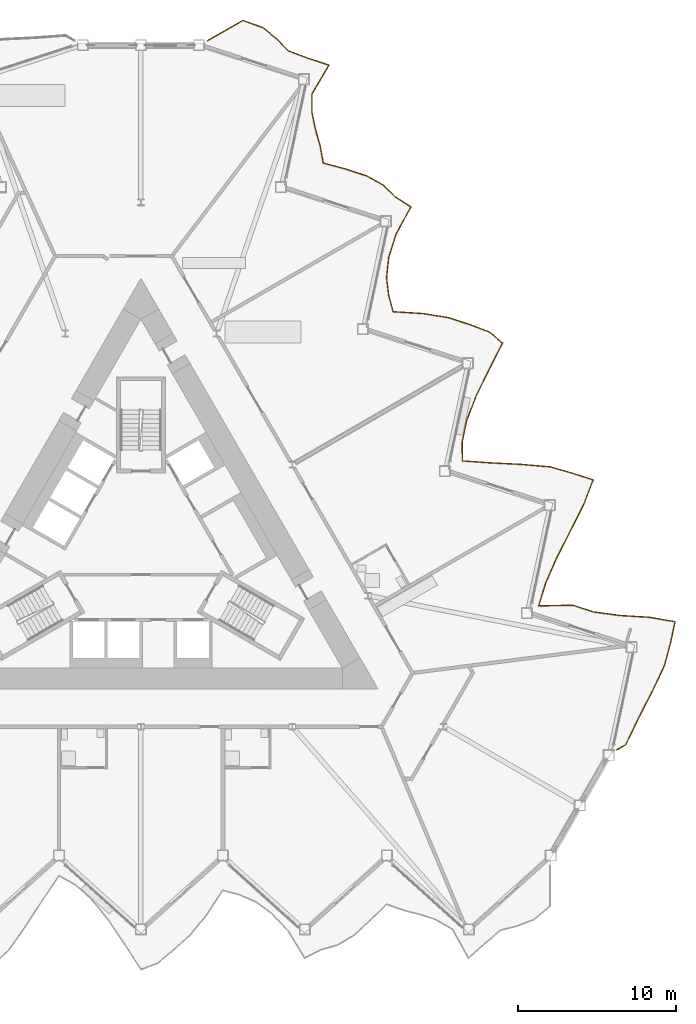
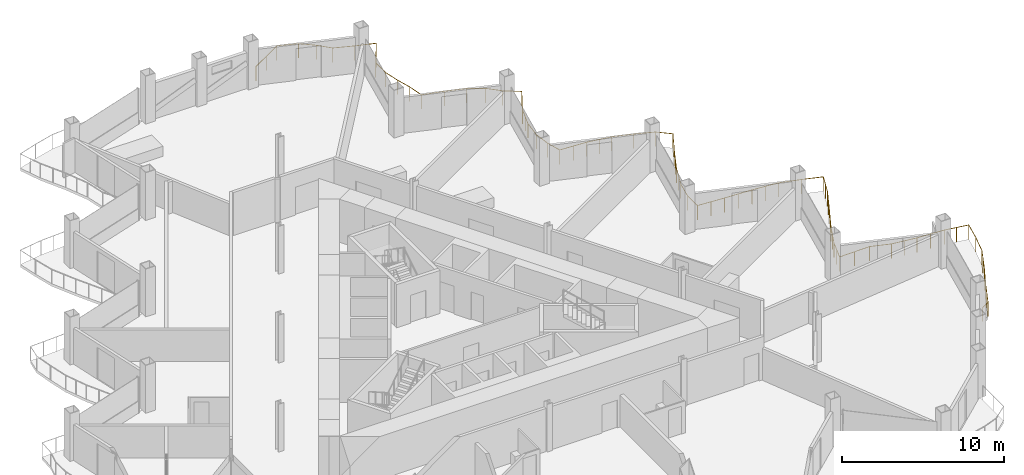
# One storey, part 21 of 23: 1 railing.
"""IFC4 building model written with IfcOpenShell, lengths in metres."""

from ifc_helpers import new_model, si_unit, direction, frame, origin, origin_2d, place, context, subcontext, project, spatial, circle, extrude, material, type_object, element, save


model = new_model("IFC4")

# Units and contexts
model_context = context("Model", 3, precision=1e-05, world=origin(), true_north=direction((0.0, 1.0)))
body_context = subcontext(model_context, "Body", "Model", "MODEL_VIEW")
ifc_project = project(units=[si_unit("LENGTHUNIT", "METRE"), si_unit("AREAUNIT", "SQUARE_METRE"), si_unit("VOLUMEUNIT", "CUBIC_METRE"), si_unit("PLANEANGLEUNIT", "RADIAN"), si_unit("MASSUNIT", "GRAM", prefix="KILO")], contexts=[model_context])

# Site, building, storey
site_placement = place(None, origin())
site = spatial("IfcSite", under=ifc_project, at=site_placement, CompositionType="ELEMENT")
building_placement = place(site_placement, origin())
building = spatial("IfcBuilding", under=site, at=building_placement, Name="Cormorant Prow Tower", CompositionType="ELEMENT")
storey_placement = place(building_placement, frame((0.0, 0.0, 267.0)))
storey = spatial("IfcBuildingStorey", under=building, at=storey_placement, Name="L60", CompositionType="ELEMENT", Elevation=267.0)

# Railing
ifc_material = material(Name="Aluminium 6063-T6", Category="aluminium")
railing_type = type_object("IfcRailingType", Name="Balcony guard 1100", PredefinedType="GUARDRAIL", material=ifc_material)
railing_placement = place(storey_placement, frame((30.135498046875, -12.5234375, 0.0)))
element("IfcRailing", 1, at=railing_placement, inside=storey, type_object=railing_type, Name="Balcony guard ENE", PredefinedType="GUARDRAIL", context=body_context, shape_type="SweptSolid", body=[
    extrude(circle(Radius=0.02392578125, at=origin_2d()), frame((0.0, 0.0, 1.076171875), z_axis=(0.865942655036, 0.500143297656, 0.0), x_axis=(-0.500143297656, 0.865942655036, 0.0)), (0.0, 0.0, 1.0), 0.635986328125),
    extrude(circle(Radius=0.02392578125, at=origin_2d()), frame((0.55078125, 0.318115234375, 1.076171875), z_axis=(0.434604504053, 0.900621410503, 0.0), x_axis=(-0.900621410503, 0.434604504053, 0.0)), (0.0, 0.0, 1.0), 1.842041015625),
    extrude(circle(Radius=0.02392578125, at=origin_2d()), frame((1.351318359375, 1.97705078125, 1.076171875), z_axis=(0.457287486383, 0.889318927493, 0.0), x_axis=(-0.889318927493, 0.457287486383, 0.0)), (0.0, 0.0, 1.0), 1.9140625),
    extrude(circle(Radius=0.02392578125, at=origin_2d()), frame((2.2265625, 3.67919921875, 1.076171875), z_axis=(0.42748121012, 0.904024233632, 0.0), x_axis=(-0.904024233632, 0.42748121012, 0.0)), (0.0, 0.0, 1.0), 1.8212890625),
    extrude(circle(Radius=0.02392578125, at=origin_2d()), frame((3.005126953125, 5.32568359375, 1.076171875), z_axis=(0.259340649862, 0.965785911747, 0.0), x_axis=(-0.965785911747, 0.259340649862, 0.0)), (0.0, 0.0, 1.0), 1.466796875),
    extrude(circle(Radius=0.02392578125, at=origin_2d()), frame((3.385498046875, 6.7421875, 1.076171875), z_axis=(0.207950868925, 0.97813927235, 0.0), x_axis=(-0.97813927235, 0.207950868925, 0.0)), (0.0, 0.0, 1.0), 1.394775390625),
    extrude(circle(Radius=0.02392578125, at=origin_2d()), frame((3.675537109375, 8.1064453125, 1.076171875), z_axis=(-0.984873312633, 0.173275959276, 0.0), x_axis=(-0.173275959276, -0.984873312633, 0.0)), (0.0, 0.0, 1.0), 1.61328125),
    extrude(circle(Radius=0.02392578125, at=origin_2d()), frame((2.086669921875, 8.385986328125, 1.076171875), z_axis=(-0.998104869315, 0.061535923252, 0.0), x_axis=(-0.061535923252, -0.998104869315, 0.0)), (0.0, 0.0, 1.0), 1.876708984375),
    extrude(circle(Radius=0.02392578125, at=origin_2d()), frame((0.213623046875, 8.50146484375, 1.076171875), z_axis=(-0.991362723895, 0.131148578613, 0.0), x_axis=(-0.131148578613, -0.991362723895, 0.0)), (0.0, 0.0, 1.0), 1.701416015625),
    extrude(circle(Radius=0.02392578125, at=origin_2d()), frame((-1.47314453125, 8.724609375, 1.076171875), z_axis=(-0.951088075615, 0.308919847895, 0.0), x_axis=(-0.308919847895, -0.951088075615, 0.0)), (0.0, 0.0, 1.0), 1.394775390625),
    extrude(circle(Radius=0.02392578125, at=origin_2d()), frame((-2.7998046875, 9.155517578125, 1.076171875), z_axis=(-0.999793281828, -0.020332083327, 0.0), x_axis=(0.020332083327, -0.999793281828, 0.0)), (0.0, 0.0, 1.0), 2.1494140625),
    extrude(circle(Radius=0.02392578125, at=origin_2d()), frame((-4.94873046875, 9.11181640625, 1.076171875), z_axis=(0.288605655925, 0.957448053613, 0.0), x_axis=(-0.957448053613, 0.288605655925, 0.0)), (0.0, 0.0, 1.0), 1.513427734375),
    extrude(circle(Radius=0.02392578125, at=origin_2d()), frame((-4.511962890625, 10.560791015625, 1.076171875), z_axis=(0.404307118374, 0.914623285311, 0.0), x_axis=(-0.914623285311, 0.404307118374, 0.0)), (0.0, 0.0, 1.0), 1.757080078125),
    extrude(circle(Radius=0.02392578125, at=origin_2d()), frame((-3.801513671875, 12.16796875, 1.076171875), z_axis=(0.453215535464, 0.891400963884, 0.0), x_axis=(-0.891400963884, 0.453215535464, 0.0)), (0.0, 0.0, 1.0), 1.900390625),
    extrude(circle(Radius=0.02392578125, at=origin_2d()), frame((-2.940185546875, 13.862060546875, 1.076171875), z_axis=(0.44824971078, 0.89390838277, 0.0), x_axis=(-0.89390838277, 0.44824971078, 0.0)), (0.0, 0.0, 1.0), 1.884521484375),
    extrude(circle(Radius=0.02392578125, at=origin_2d()), frame((-2.095458984375, 15.546630859375, 1.076171875), z_axis=(0.357586696958, 0.933879946331, 0.0), x_axis=(-0.933879946331, 0.357586696958, 0.0)), (0.0, 0.0, 1.0), 1.6455078125),
    extrude(circle(Radius=0.02392578125, at=origin_2d()), frame((-1.507080078125, 17.083251953125, 1.076171875), z_axis=(-0.951071368511, 0.308971280217, 0.0), x_axis=(-0.308971280217, -0.951071368511, 0.0)), (0.0, 0.0, 1.0), 1.394775390625),
    extrude(circle(Radius=0.02392578125, at=origin_2d()), frame((-2.83349609375, 17.51416015625, 1.076171875), z_axis=(-0.961855011938, 0.273559748518, 0.0), x_axis=(-0.273559748518, -0.961855011938, 0.0)), (0.0, 0.0, 1.0), 1.444091796875),
    extrude(circle(Radius=0.02392578125, at=origin_2d()), frame((-4.222412109375, 17.9091796875, 1.076171875), z_axis=(-0.996223849689, 0.086821894192, 0.0), x_axis=(-0.086821894192, -0.996223849689, 0.0)), (0.0, 0.0, 1.0), 1.80810546875),
    extrude(circle(Radius=0.02392578125, at=origin_2d()), frame((-6.023681640625, 18.066162109375, 1.076171875), z_axis=(-0.99879181024, 0.049141833475, 0.0), x_axis=(-0.049141833475, -0.99879181024, 0.0)), (0.0, 0.0, 1.0), 1.91259765625),
    extrude(circle(Radius=0.02392578125, at=origin_2d()), frame((-7.93408203125, 18.16015625, 1.076171875), z_axis=(-0.997550149311, 0.069954982737, 0.0), x_axis=(-0.069954982737, -0.997550149311, 0.0)), (0.0, 0.0, 1.0), 1.853271484375),
    extrude(circle(Radius=0.02392578125, at=origin_2d()), frame((-9.78271484375, 18.289794921875, 1.076171875), z_axis=(-0.014398836288, 0.999896331383, 0.0), x_axis=(-0.999896331383, -0.014398836288, 0.0)), (0.0, 0.0, 1.0), 1.18701171875),
    extrude(circle(Radius=0.02392578125, at=origin_2d()), frame((-9.7998046875, 19.4765625, 1.076171875), z_axis=(0.206151834206, 0.978520015765, 0.0), x_axis=(-0.978520015765, 0.206151834206, 0.0)), (0.0, 0.0, 1.0), 1.392822265625),
    extrude(circle(Radius=0.02392578125, at=origin_2d()), frame((-9.5126953125, 20.83935546875, 1.076171875), z_axis=(0.359415498017, 0.933177635708, 0.0), x_axis=(-0.933177635708, 0.359415498017, 0.0)), (0.0, 0.0, 1.0), 1.649169921875),
    extrude(circle(Radius=0.02392578125, at=origin_2d()), frame((-8.919921875, 22.37841796875, 1.076171875), z_axis=(0.437318675053, 0.899306608699, 0.0), x_axis=(-0.899306608699, 0.437318675053, 0.0)), (0.0, 0.0, 1.0), 1.8505859375),
    extrude(circle(Radius=0.02392578125, at=origin_2d()), frame((-8.110595703125, 24.042724609375, 1.076171875), z_axis=(0.457039417902, 0.889446440481, 0.0), x_axis=(-0.889446440481, 0.457039417902, 0.0)), (0.0, 0.0, 1.0), 1.912841796875),
    extrude(circle(Radius=0.02392578125, at=origin_2d()), frame((-7.236328125, 25.744140625, 1.076171875), z_axis=(-0.768293742911, 0.64009743368, 0.0), x_axis=(-0.64009743368, -0.768293742911, 0.0)), (0.0, 0.0, 1.0), 1.1044921875),
    extrude(circle(Radius=0.02392578125, at=origin_2d()), frame((-8.0849609375, 26.451171875, 1.076171875), z_axis=(-0.936568023261, 0.350485859636, 0.0), x_axis=(-0.350485859636, -0.936568023261, 0.0)), (0.0, 0.0, 1.0), 1.343017578125),
    extrude(circle(Radius=0.02392578125, at=origin_2d()), frame((-9.3427734375, 26.921875, 1.076171875), z_axis=(-0.951088075615, 0.308919847895, 0.0), x_axis=(-0.308919847895, -0.951088075615, 0.0)), (0.0, 0.0, 1.0), 1.394775390625),
    extrude(circle(Radius=0.02392578125, at=origin_2d()), frame((-10.66943359375, 27.352783203125, 1.076171875), z_axis=(-0.986956091935, 0.160989666106, 0.0), x_axis=(-0.160989666106, -0.986956091935, 0.0)), (0.0, 0.0, 1.0), 1.637939453125),
    extrude(circle(Radius=0.02392578125, at=origin_2d()), frame((-12.285888671875, 27.616455078125, 1.076171875), z_axis=(-0.998234799523, 0.05939095066, 0.0), x_axis=(-0.05939095066, -0.998234799523, 0.0)), (0.0, 0.0, 1.0), 1.8828125),
    extrude(circle(Radius=0.02392578125, at=origin_2d()), frame((-14.165283203125, 27.728271484375, 1.076171875), z_axis=(-0.263599321059, 0.964632260469, 0.0), x_axis=(-0.964632260469, -0.263599321059, 0.0)), (0.0, 0.0, 1.0), 1.071533203125),
    extrude(circle(Radius=0.02392578125, at=origin_2d()), frame((-14.44775390625, 28.761962890625, 1.076171875), z_axis=(-0.11910252531, 0.992881960993, 0.0), x_axis=(-0.992881960993, -0.11910252531, 0.0)), (0.0, 0.0, 1.0), 1.12744140625),
    extrude(circle(Radius=0.02392578125, at=origin_2d()), frame((-14.58203125, 29.88134765625, 1.076171875), z_axis=(0.107425969363, 0.994213086369, 0.0), x_axis=(-0.994213086369, 0.107425969363, 0.0)), (0.0, 0.0, 1.0), 1.283935546875),
    extrude(circle(Radius=0.02392578125, at=origin_2d()), frame((-14.444091796875, 31.157958984375, 1.076171875), z_axis=(0.297429012551, 0.954743935562, 0.0), x_axis=(-0.954743935562, 0.297429012551, 0.0)), (0.0, 0.0, 1.0), 1.5283203125),
    extrude(circle(Radius=0.02392578125, at=origin_2d()), frame((-13.989501953125, 32.6171875, 1.076171875), z_axis=(0.477498874216, 0.878632360616, 0.0), x_axis=(-0.878632360616, 0.477498874216, 0.0)), (0.0, 0.0, 1.0), 1.9853515625),
    extrude(circle(Radius=0.02392578125, at=origin_2d()), frame((-13.04150390625, 34.361572265625, 1.076171875), z_axis=(-0.839113977047, 0.543955635621, 0.0), x_axis=(-0.543955635621, -0.839113977047, 0.0)), (0.0, 0.0, 1.0), 1.163818359375),
    extrude(circle(Radius=0.02392578125, at=origin_2d()), frame((-14.01806640625, 34.99462890625, 1.076171875), z_axis=(-0.720885238083, 0.693054452055, 0.0), x_axis=(-0.693054452055, -0.720885238083, 0.0)), (0.0, 0.0, 1.0), 1.0791015625),
    extrude(circle(Radius=0.02392578125, at=origin_2d()), frame((-14.7958984375, 35.742431640625, 1.076171875), z_axis=(-0.87401428718, 0.485900222068, 0.0), x_axis=(-0.485900222068, -0.87401428718, 0.0)), (0.0, 0.0, 1.0), 1.20849609375),
    extrude(circle(Radius=0.02392578125, at=origin_2d()), frame((-15.85205078125, 36.32958984375, 1.076171875), z_axis=(-0.951088075615, 0.308919847895, 0.0), x_axis=(-0.308919847895, -0.951088075615, 0.0)), (0.0, 0.0, 1.0), 1.394775390625),
    extrude(circle(Radius=0.02392578125, at=origin_2d()), frame((-17.1787109375, 36.760498046875, 1.076171875), z_axis=(-0.965125305227, 0.261788359579, 0.0), x_axis=(-0.261788359579, -0.965125305227, 0.0)), (0.0, 0.0, 1.0), 1.46142578125),
    extrude(circle(Radius=0.02392578125, at=origin_2d()), frame((-18.589111328125, 37.14306640625, 1.076171875), z_axis=(-0.177324755357, 0.984152392233, 0.0), x_axis=(-0.984152392233, -0.177324755357, 0.0)), (0.0, 0.0, 1.0), 1.101318359375),
    extrude(circle(Radius=0.02392578125, at=origin_2d()), frame((-18.784423828125, 38.22705078125, 1.076171875), z_axis=(-0.276320618852, 0.961065510565, 0.0), x_axis=(-0.961065510565, -0.276320618852, 0.0)), (0.0, 0.0, 1.0), 1.068115234375),
    extrude(circle(Radius=0.02392578125, at=origin_2d()), frame((-19.07958984375, 39.253662109375, 1.076171875), z_axis=(-0.204499242094, 0.978866722278, 0.0), x_axis=(-0.978866722278, -0.204499242094, 0.0)), (0.0, 0.0, 1.0), 1.091064453125),
    extrude(circle(Radius=0.02392578125, at=origin_2d()), frame((-19.302734375, 40.32177734375, 1.076171875), z_axis=(-0.001224738824, 0.999999250007, 0.0), x_axis=(-0.999999250007, -0.001224738824, 0.0)), (0.0, 0.0, 1.0), 1.196044921875),
    extrude(circle(Radius=0.02392578125, at=origin_2d()), frame((-19.30419921875, 41.517822265625, 1.076171875), z_axis=(0.510197574777, 0.860057227568, 0.0), x_axis=(-0.860057227568, 0.510197574777, 0.0)), (0.0, 0.0, 1.0), 2.116455078125),
    extrude(circle(Radius=0.02392578125, at=origin_2d()), frame((-18.224365234375, 43.338134765625, 1.076171875), z_axis=(-0.951071368511, 0.308971280217, 0.0), x_axis=(-0.308971280217, -0.951071368511, 0.0)), (0.0, 0.0, 1.0), 1.394775390625),
    extrude(circle(Radius=0.02392578125, at=origin_2d()), frame((-19.55078125, 43.76904296875, 1.076171875), z_axis=(-0.935819407304, 0.352479839016, 0.0), x_axis=(-0.352479839016, -0.935819407304, 0.0)), (0.0, 0.0, 1.0), 1.341064453125),
    extrude(circle(Radius=0.02392578125, at=origin_2d()), frame((-20.8056640625, 44.24169921875, 1.076171875), z_axis=(-0.69593884848, 0.718101050812, 0.0), x_axis=(-0.718101050812, -0.69593884848, 0.0)), (0.0, 0.0, 1.0), 1.068603515625),
    extrude(circle(Radius=0.02392578125, at=origin_2d()), frame((-21.54931640625, 45.009033203125, 1.076171875), z_axis=(-0.775035277765, 0.631917967951, 0.0), x_axis=(-0.631917967951, -0.775035277765, 0.0)), (0.0, 0.0, 1.0), 1.10888671875),
    extrude(circle(Radius=0.02392578125, at=origin_2d()), frame((-22.40869140625, 45.709716796875, 1.076171875), z_axis=(-0.941346942573, 0.337440266874, 0.0), x_axis=(-0.337440266874, -0.941346942573, 0.0)), (0.0, 0.0, 1.0), 1.358642578125),
    extrude(circle(Radius=0.02392578125, at=origin_2d()), frame((-23.687744140625, 46.168212890625, 1.076171875), z_axis=(-0.866054294558, -0.499949956374, 0.0), x_axis=(0.499949956374, -0.866054294558, 0.0)), (0.0, 0.0, 1.0), 2.570068359375),
    extrude(circle(Radius=0.02099609375, at=origin_2d()), origin(), (0.0, 0.0, 1.0), 1.052001953125),
    extrude(circle(Radius=0.02099609375, at=origin_2d()), frame((0.55078125, 0.318115234375, 0.0)), (0.0, 0.0, 1.0), 1.052001953125),
    extrude(circle(Radius=0.02099609375, at=origin_2d()), frame((0.951171875, 1.1474609375, 0.0)), (0.0, 0.0, 1.0), 1.052001953125),
    extrude(circle(Radius=0.02099609375, at=origin_2d()), frame((1.351318359375, 1.97705078125, 0.0)), (0.0, 0.0, 1.0), 1.052001953125),
    extrude(circle(Radius=0.02099609375, at=origin_2d()), frame((1.7890625, 2.828125, 0.0)), (0.0, 0.0, 1.0), 1.052001953125),
    extrude(circle(Radius=0.02099609375, at=origin_2d()), frame((2.2265625, 3.67919921875, 0.0)), (0.0, 0.0, 1.0), 1.052001953125),
    extrude(circle(Radius=0.02099609375, at=origin_2d()), frame((2.61572265625, 4.50244140625, 0.0)), (0.0, 0.0, 1.0), 1.052001953125),
    extrude(circle(Radius=0.02099609375, at=origin_2d()), frame((3.005126953125, 5.32568359375, 0.0)), (0.0, 0.0, 1.0), 1.052001953125),
    extrude(circle(Radius=0.02099609375, at=origin_2d()), frame((3.385498046875, 6.7421875, 0.0)), (0.0, 0.0, 1.0), 1.052001953125),
    extrude(circle(Radius=0.02099609375, at=origin_2d()), frame((3.675537109375, 8.1064453125, 0.0)), (0.0, 0.0, 1.0), 1.052001953125),
    extrude(circle(Radius=0.02099609375, at=origin_2d()), frame((2.881103515625, 8.24609375, 0.0)), (0.0, 0.0, 1.0), 1.052001953125),
    extrude(circle(Radius=0.02099609375, at=origin_2d()), frame((2.086669921875, 8.385986328125, 0.0)), (0.0, 0.0, 1.0), 1.052001953125),
    extrude(circle(Radius=0.02099609375, at=origin_2d()), frame((1.150146484375, 8.44384765625, 0.0)), (0.0, 0.0, 1.0), 1.052001953125),
    extrude(circle(Radius=0.02099609375, at=origin_2d()), frame((0.213623046875, 8.50146484375, 0.0)), (0.0, 0.0, 1.0), 1.052001953125),
    extrude(circle(Radius=0.02099609375, at=origin_2d()), frame((-0.6298828125, 8.613037109375, 0.0)), (0.0, 0.0, 1.0), 1.052001953125),
    extrude(circle(Radius=0.02099609375, at=origin_2d()), frame((-1.47314453125, 8.724609375, 0.0)), (0.0, 0.0, 1.0), 1.052001953125),
    extrude(circle(Radius=0.02099609375, at=origin_2d()), frame((-2.7998046875, 9.155517578125, 0.0)), (0.0, 0.0, 1.0), 1.052001953125),
    extrude(circle(Radius=0.02099609375, at=origin_2d()), frame((-3.874267578125, 9.1337890625, 0.0)), (0.0, 0.0, 1.0), 1.052001953125),
    extrude(circle(Radius=0.02099609375, at=origin_2d()), frame((-4.94873046875, 9.11181640625, 0.0)), (0.0, 0.0, 1.0), 1.052001953125),
    extrude(circle(Radius=0.02099609375, at=origin_2d()), frame((-4.73046875, 9.83642578125, 0.0)), (0.0, 0.0, 1.0), 1.052001953125),
    extrude(circle(Radius=0.02099609375, at=origin_2d()), frame((-4.511962890625, 10.560791015625, 0.0)), (0.0, 0.0, 1.0), 1.052001953125),
    extrude(circle(Radius=0.02099609375, at=origin_2d()), frame((-4.15673828125, 11.3642578125, 0.0)), (0.0, 0.0, 1.0), 1.052001953125),
    extrude(circle(Radius=0.02099609375, at=origin_2d()), frame((-3.801513671875, 12.16796875, 0.0)), (0.0, 0.0, 1.0), 1.052001953125),
    extrude(circle(Radius=0.02099609375, at=origin_2d()), frame((-3.370849609375, 13.01513671875, 0.0)), (0.0, 0.0, 1.0), 1.052001953125),
    extrude(circle(Radius=0.02099609375, at=origin_2d()), frame((-2.940185546875, 13.862060546875, 0.0)), (0.0, 0.0, 1.0), 1.052001953125),
    extrude(circle(Radius=0.02099609375, at=origin_2d()), frame((-2.517822265625, 14.704345703125, 0.0)), (0.0, 0.0, 1.0), 1.052001953125),
    extrude(circle(Radius=0.02099609375, at=origin_2d()), frame((-2.095458984375, 15.546630859375, 0.0)), (0.0, 0.0, 1.0), 1.052001953125),
    extrude(circle(Radius=0.02099609375, at=origin_2d()), frame((-1.80126953125, 16.31494140625, 0.0)), (0.0, 0.0, 1.0), 1.052001953125),
    extrude(circle(Radius=0.02099609375, at=origin_2d()), frame((-1.507080078125, 17.083251953125, 0.0)), (0.0, 0.0, 1.0), 1.052001953125),
    extrude(circle(Radius=0.02099609375, at=origin_2d()), frame((-2.83349609375, 17.51416015625, 0.0)), (0.0, 0.0, 1.0), 1.052001953125),
    extrude(circle(Radius=0.02099609375, at=origin_2d()), frame((-4.222412109375, 17.9091796875, 0.0)), (0.0, 0.0, 1.0), 1.052001953125),
    extrude(circle(Radius=0.02099609375, at=origin_2d()), frame((-5.123046875, 17.98779296875, 0.0)), (0.0, 0.0, 1.0), 1.052001953125),
    extrude(circle(Radius=0.02099609375, at=origin_2d()), frame((-6.023681640625, 18.066162109375, 0.0)), (0.0, 0.0, 1.0), 1.052001953125),
    extrude(circle(Radius=0.02099609375, at=origin_2d()), frame((-6.97900390625, 18.11328125, 0.0)), (0.0, 0.0, 1.0), 1.052001953125),
    extrude(circle(Radius=0.02099609375, at=origin_2d()), frame((-7.93408203125, 18.16015625, 0.0)), (0.0, 0.0, 1.0), 1.052001953125),
    extrude(circle(Radius=0.02099609375, at=origin_2d()), frame((-8.8583984375, 18.22509765625, 0.0)), (0.0, 0.0, 1.0), 1.052001953125),
    extrude(circle(Radius=0.02099609375, at=origin_2d()), frame((-9.78271484375, 18.289794921875, 0.0)), (0.0, 0.0, 1.0), 1.052001953125),
    extrude(circle(Radius=0.02099609375, at=origin_2d()), frame((-9.7998046875, 19.4765625, 0.0)), (0.0, 0.0, 1.0), 1.052001953125),
    extrude(circle(Radius=0.02099609375, at=origin_2d()), frame((-9.5126953125, 20.83935546875, 0.0)), (0.0, 0.0, 1.0), 1.052001953125),
    extrude(circle(Radius=0.02099609375, at=origin_2d()), frame((-9.21630859375, 21.60888671875, 0.0)), (0.0, 0.0, 1.0), 1.052001953125),
    extrude(circle(Radius=0.02099609375, at=origin_2d()), frame((-8.919921875, 22.37841796875, 0.0)), (0.0, 0.0, 1.0), 1.052001953125),
    extrude(circle(Radius=0.02099609375, at=origin_2d()), frame((-8.51513671875, 23.21044921875, 0.0)), (0.0, 0.0, 1.0), 1.052001953125),
    extrude(circle(Radius=0.02099609375, at=origin_2d()), frame((-8.110595703125, 24.042724609375, 0.0)), (0.0, 0.0, 1.0), 1.052001953125),
    extrude(circle(Radius=0.02099609375, at=origin_2d()), frame((-7.67333984375, 24.8935546875, 0.0)), (0.0, 0.0, 1.0), 1.052001953125),
    extrude(circle(Radius=0.02099609375, at=origin_2d()), frame((-7.236328125, 25.744140625, 0.0)), (0.0, 0.0, 1.0), 1.052001953125),
    extrude(circle(Radius=0.02099609375, at=origin_2d()), frame((-8.0849609375, 26.451171875, 0.0)), (0.0, 0.0, 1.0), 1.052001953125),
    extrude(circle(Radius=0.02099609375, at=origin_2d()), frame((-9.3427734375, 26.921875, 0.0)), (0.0, 0.0, 1.0), 1.052001953125),
    extrude(circle(Radius=0.02099609375, at=origin_2d()), frame((-10.66943359375, 27.352783203125, 0.0)), (0.0, 0.0, 1.0), 1.052001953125),
    extrude(circle(Radius=0.02099609375, at=origin_2d()), frame((-11.4775390625, 27.484619140625, 0.0)), (0.0, 0.0, 1.0), 1.052001953125),
    extrude(circle(Radius=0.02099609375, at=origin_2d()), frame((-12.285888671875, 27.616455078125, 0.0)), (0.0, 0.0, 1.0), 1.052001953125),
    extrude(circle(Radius=0.02099609375, at=origin_2d()), frame((-13.2255859375, 27.67236328125, 0.0)), (0.0, 0.0, 1.0), 1.052001953125),
    extrude(circle(Radius=0.02099609375, at=origin_2d()), frame((-14.165283203125, 27.728271484375, 0.0)), (0.0, 0.0, 1.0), 1.052001953125),
    extrude(circle(Radius=0.02099609375, at=origin_2d()), frame((-14.44775390625, 28.761962890625, 0.0)), (0.0, 0.0, 1.0), 1.052001953125),
    extrude(circle(Radius=0.02099609375, at=origin_2d()), frame((-14.58203125, 29.88134765625, 0.0)), (0.0, 0.0, 1.0), 1.052001953125),
    extrude(circle(Radius=0.02099609375, at=origin_2d()), frame((-14.444091796875, 31.157958984375, 0.0)), (0.0, 0.0, 1.0), 1.052001953125),
    extrude(circle(Radius=0.02099609375, at=origin_2d()), frame((-14.216796875, 31.8876953125, 0.0)), (0.0, 0.0, 1.0), 1.052001953125),
    extrude(circle(Radius=0.02099609375, at=origin_2d()), frame((-13.989501953125, 32.6171875, 0.0)), (0.0, 0.0, 1.0), 1.052001953125),
    extrude(circle(Radius=0.02099609375, at=origin_2d()), frame((-13.515625, 33.4892578125, 0.0)), (0.0, 0.0, 1.0), 1.052001953125),
    extrude(circle(Radius=0.02099609375, at=origin_2d()), frame((-13.04150390625, 34.361572265625, 0.0)), (0.0, 0.0, 1.0), 1.052001953125),
    extrude(circle(Radius=0.02099609375, at=origin_2d()), frame((-14.01806640625, 34.99462890625, 0.0)), (0.0, 0.0, 1.0), 1.052001953125),
    extrude(circle(Radius=0.02099609375, at=origin_2d()), frame((-14.7958984375, 35.742431640625, 0.0)), (0.0, 0.0, 1.0), 1.052001953125),
    extrude(circle(Radius=0.02099609375, at=origin_2d()), frame((-15.85205078125, 36.32958984375, 0.0)), (0.0, 0.0, 1.0), 1.052001953125),
    extrude(circle(Radius=0.02099609375, at=origin_2d()), frame((-17.1787109375, 36.760498046875, 0.0)), (0.0, 0.0, 1.0), 1.052001953125),
    extrude(circle(Radius=0.02099609375, at=origin_2d()), frame((-18.589111328125, 37.14306640625, 0.0)), (0.0, 0.0, 1.0), 1.052001953125),
    extrude(circle(Radius=0.02099609375, at=origin_2d()), frame((-18.784423828125, 38.22705078125, 0.0)), (0.0, 0.0, 1.0), 1.052001953125),
    extrude(circle(Radius=0.02099609375, at=origin_2d()), frame((-19.07958984375, 39.253662109375, 0.0)), (0.0, 0.0, 1.0), 1.052001953125),
    extrude(circle(Radius=0.02099609375, at=origin_2d()), frame((-19.302734375, 40.32177734375, 0.0)), (0.0, 0.0, 1.0), 1.052001953125),
    extrude(circle(Radius=0.02099609375, at=origin_2d()), frame((-19.30419921875, 41.517822265625, 0.0)), (0.0, 0.0, 1.0), 1.052001953125),
    extrude(circle(Radius=0.02099609375, at=origin_2d()), frame((-18.76416015625, 42.427978515625, 0.0)), (0.0, 0.0, 1.0), 1.052001953125),
    extrude(circle(Radius=0.02099609375, at=origin_2d()), frame((-18.224365234375, 43.338134765625, 0.0)), (0.0, 0.0, 1.0), 1.052001953125),
    extrude(circle(Radius=0.02099609375, at=origin_2d()), frame((-19.55078125, 43.76904296875, 0.0)), (0.0, 0.0, 1.0), 1.052001953125),
    extrude(circle(Radius=0.02099609375, at=origin_2d()), frame((-20.8056640625, 44.24169921875, 0.0)), (0.0, 0.0, 1.0), 1.052001953125),
    extrude(circle(Radius=0.02099609375, at=origin_2d()), frame((-21.54931640625, 45.009033203125, 0.0)), (0.0, 0.0, 1.0), 1.052001953125),
    extrude(circle(Radius=0.02099609375, at=origin_2d()), frame((-22.40869140625, 45.709716796875, 0.0)), (0.0, 0.0, 1.0), 1.052001953125),
    extrude(circle(Radius=0.02099609375, at=origin_2d()), frame((-23.687744140625, 46.168212890625, 0.0)), (0.0, 0.0, 1.0), 1.052001953125),
    extrude(circle(Radius=0.02099609375, at=origin_2d()), frame((-24.80078125, 45.52587890625, 0.0)), (0.0, 0.0, 1.0), 1.052001953125),
    extrude(circle(Radius=0.02099609375, at=origin_2d()), frame((-25.91357421875, 44.88330078125, 0.0)), (0.0, 0.0, 1.0), 1.052001953125),
])

save(model, "model.ifc")
